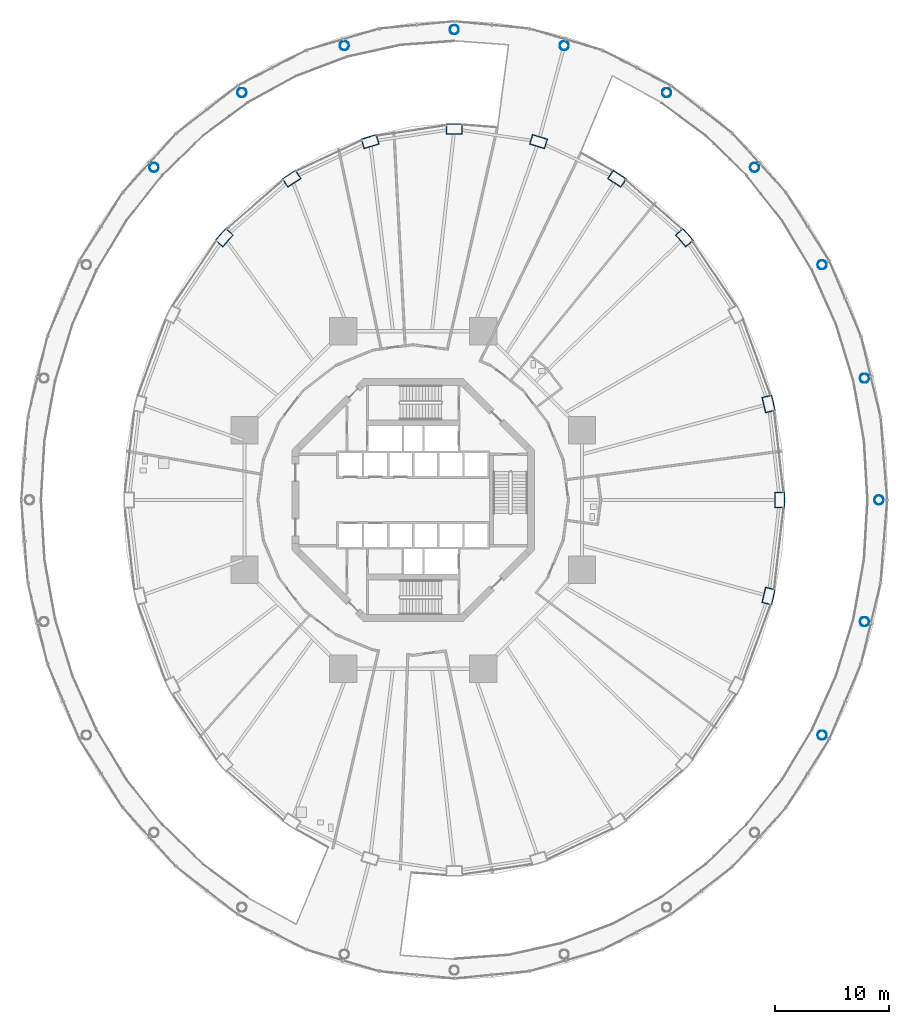
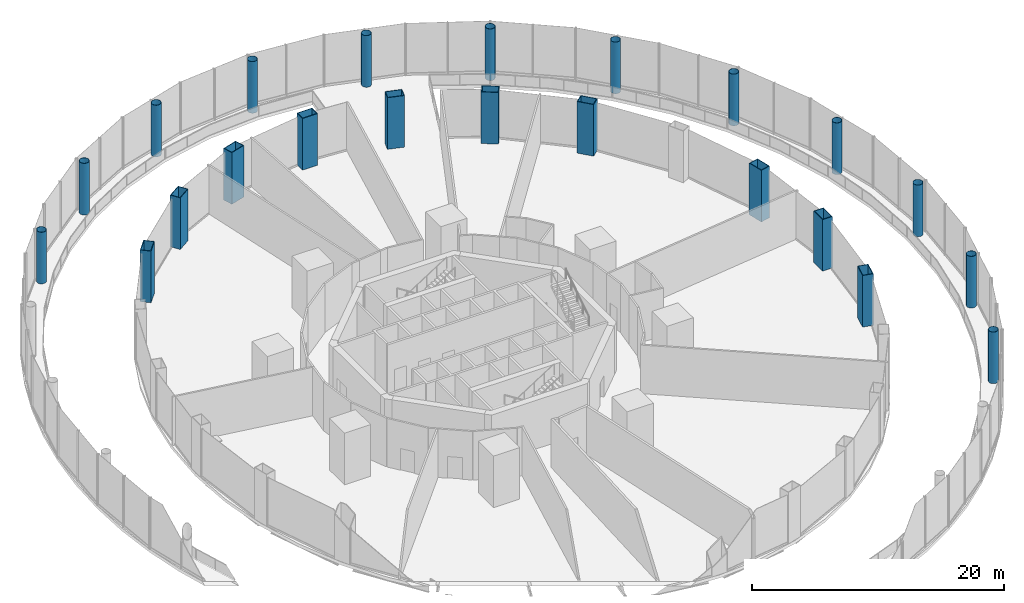
# One storey, part 2 of 47: 22 columns.
"""IFC4 building model written with IfcOpenShell, lengths in metres."""

from ifc_helpers import new_model, si_unit, direction, frame, origin, origin_2d, place, context, subcontext, project, spatial, hollow_rectangle, hollow_circle, extrude, material, material_profile, profile_set, type_object, element, save


model = new_model("IFC4")

# Units and contexts
model_context = context("Model", 3, precision=1e-05, world=origin(), true_north=direction((0.0, 1.0)))
body_context = subcontext(model_context, "Body", "Model", "MODEL_VIEW")
ifc_project = project(units=[si_unit("LENGTHUNIT", "METRE"), si_unit("AREAUNIT", "SQUARE_METRE"), si_unit("VOLUMEUNIT", "CUBIC_METRE"), si_unit("PLANEANGLEUNIT", "RADIAN"), si_unit("MASSUNIT", "GRAM", prefix="KILO")], contexts=[model_context])

# Site, building, storey
site_placement = place(None, origin())
site = spatial("IfcSite", under=ifc_project, at=site_placement, CompositionType="ELEMENT")
building_placement = place(site_placement, origin())
building = spatial("IfcBuilding", under=site, at=building_placement, Name="Nagisa Residences", CompositionType="ELEMENT")
storey_placement = place(building_placement, frame((0.0, 0.0, 7.0)))
storey = spatial("IfcBuildingStorey", under=building, at=storey_placement, Name="L01", CompositionType="ELEMENT", Elevation=7.0)

# Columns
ifc_material_1 = material(Name="Steel ASTM A572 Gr 65", Category="steel")
ifc_material_profile_1 = material_profile(ifc_material_1, hollow_circle(Radius=0.406494140625, WallThickness=0.02490234375, at=origin_2d()), Name="CHS 813x25")
ifc_profile_set_1 = profile_set([ifc_material_profile_1], Name="Steel ASTM A572 Gr 65")
column_type_1 = type_object("IfcColumnType", Name="Atrium column CHS 813x25", PredefinedType="COLUMN", material=ifc_profile_set_1)
for number, where, z_axis, x_axis, name in (
    (1, (40.800048828125, 0.0, 0.0), (0.0, 0.0, 1.0), (1.0, 0.0, 0.0), "col:L01:a00"),
    (2, (39.532470703125, 10.663330078125, 0.0), (0.0, 0.0, 1.0), (1.0, 0.0, 0.0), "col:L01:a01"),
    (3, (35.816162109375, 20.60009765625, 0.0), (0.0, 0.0, 1.0), (1.0, 0.0, 0.0), "col:L01:a02"),
    (4, (29.904296875, 29.1328125, 0.0), (0.0, 0.0, 1.0), (1.0, 0.0, 0.0), "col:L01:a03"),
    (5, (22.199951171875, 35.68017578125, 0.0), (0.0, 0.0, 1.0), (1.0, 0.0, 0.0), "col:L01:a04"),
    (6, (13.22802734375, 39.796142578125, 0.0), (0.0, 0.0, 1.0), (1.0, 0.0, 0.0), "col:L01:a05"),
    (7, (3.60009765625, 41.199951171875, 0.0), (0.0, 0.0, 1.0), (1.0, 0.0, 0.0), "col:L01:a06"),
    (8, (-6.028076171875, 39.796142578125, 0.0), (0.0, 0.0, 1.0), (1.0, 0.0, 0.0), "col:L01:a07"),
    (9, (-15.0, 35.68017578125, 0.0), (0.0, 0.0, 1.0), (1.0, 0.0, 0.0), "col:L01:a08"),
    (10, (-22.704345703125, 29.1328125, 0.0), (0.0, 0.0, 1.0), (1.0, 0.0, 0.0), "col:L01:a09"),
    (11, (35.816162109375, -20.60009765625, 0.0), (0.0, 0.0, 1.0), (1.0, 0.0, 0.0), "col:L01:a22"),
    (12, (39.532470703125, -10.663330078125, 0.0), (0.0, 0.0, 1.0), (1.0, 0.0, 0.0), "col:L01:a23"),
):
    element("IfcColumn", number, at=place(storey_placement, frame(where, z_axis=z_axis, x_axis=x_axis)), inside=storey, type_object=column_type_1, Name=name, PredefinedType="COLUMN", context=body_context, shape_type="SweptSolid", body=[
        extrude(hollow_circle(Radius=0.406494140625, WallThickness=0.02490234375, at=origin_2d()), origin(), (0.0, 0.0, 1.0), 5.0),
    ])
ifc_material_2 = material(Name="Steel ASTM A572 Gr 50", Category="steel")
ifc_material_profile_2 = material_profile(ifc_material_2, hollow_rectangle(XDim=1.39990234375, YDim=0.89990234375, WallThickness=0.050048828125, at=origin_2d()), Name="BX 1400x900x50")
ifc_profile_set_2 = profile_set([ifc_material_profile_2], Name="Steel ASTM A572 Gr 50")
column_type_2 = type_object("IfcColumnType", Name="Perimeter column BX 1400x900x50", PredefinedType="COLUMN", material=ifc_profile_set_2)
for number, where, z_axis, x_axis, name in (
    (13, (32.10009765625, 0.0, 0.0), (0.0, 0.0, 1.0), (0.0, 1.0, 0.0), "col:L01:p00"),
    (14, (31.12890625, 8.41162109375, 0.0), (0.0, 0.0, 1.0), (-0.229202013103, 0.973378876486, 0.0), "col:L01:p01"),
    (15, (23.75244140625, 22.98095703125, 0.0), (0.0, 0.0, 1.0), (-0.660114607735, 0.751164898445, 0.0), "col:L01:p03"),
    (16, (17.85009765625, 28.145751953125, 0.0), (0.0, 0.0, 1.0), (-0.835766105673, 0.54908561865, 0.0), "col:L01:p04"),
    (17, (10.976318359375, 31.392578125, 0.0), (0.0, 0.0, 1.0), (-0.956524583408, 0.291651712384, 0.0), "col:L01:p05"),
    (18, (3.60009765625, 32.5, 0.0), (0.0, 0.0, 1.0), (-1.0, 0.0, 0.0), "col:L01:p06"),
    (19, (-3.7763671875, 31.392578125, 0.0), (0.0, 0.0, 1.0), (-0.956524583408, -0.291651712384, 0.0), "col:L01:p07"),
    (20, (-10.64990234375, 28.145751953125, 0.0), (0.0, 0.0, 1.0), (-0.835766105673, -0.54908561865, 0.0), "col:L01:p08"),
    (21, (-16.552490234375, 22.98095703125, 0.0), (0.0, 0.0, 1.0), (-0.660114607735, -0.751164898445, 0.0), "col:L01:p09"),
    (22, (31.12890625, -8.41162109375, 0.0), (0.0, 0.0, 1.0), (0.229202013103, 0.973378876486, 0.0), "col:L01:p23"),
):
    element("IfcColumn", number, at=place(storey_placement, frame(where, z_axis=z_axis, x_axis=x_axis)), inside=storey, type_object=column_type_2, Name=name, PredefinedType="COLUMN", context=body_context, shape_type="SweptSolid", body=[
        extrude(hollow_rectangle(XDim=1.39990234375, YDim=0.89990234375, WallThickness=0.050048828125, at=origin_2d()), origin(), (0.0, 0.0, 1.0), 5.0),
    ])

save(model, "model.ifc")
